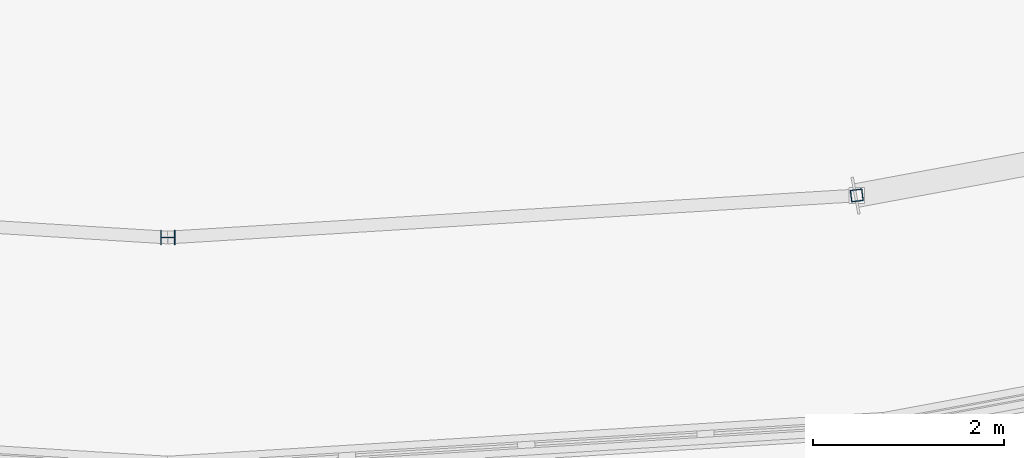
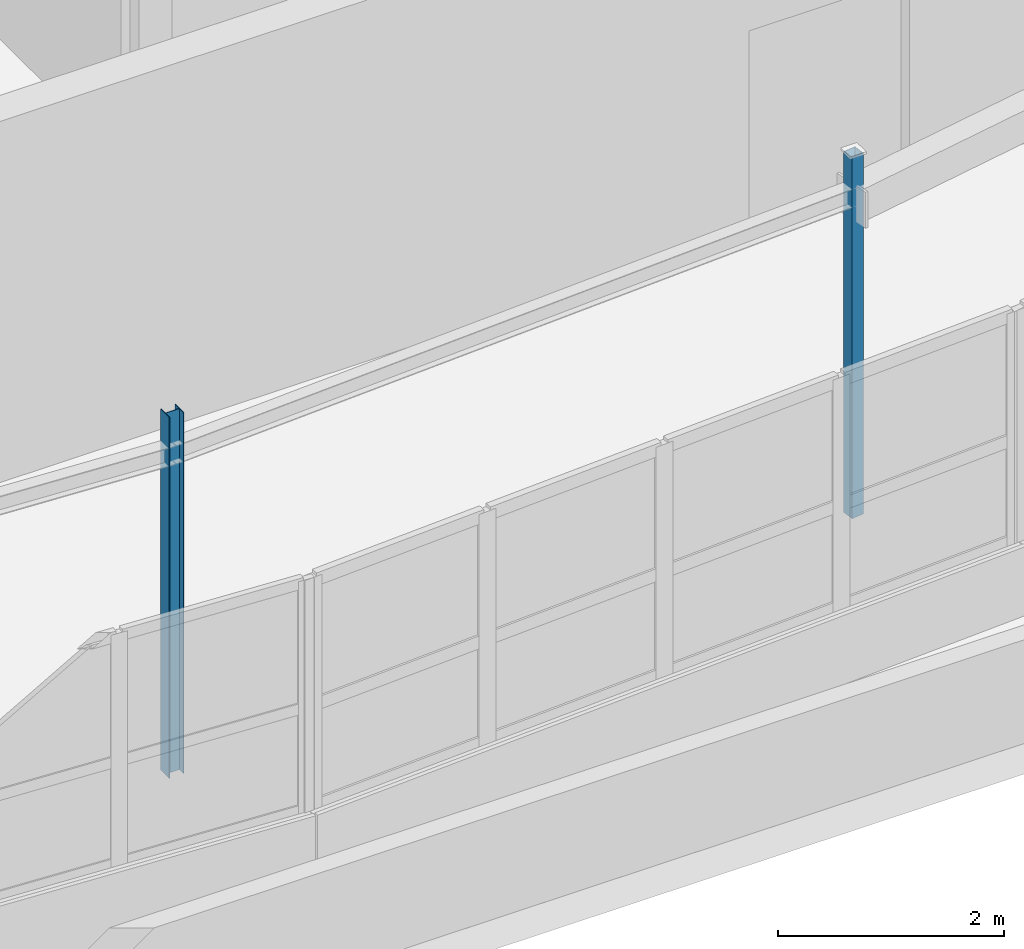
# One storey, part 3 of 128: 2 columns.
"""IFC4 building model written with IfcOpenShell, lengths in metres."""

import ifcopenshell
import ifcopenshell.guid

model = None  # the IFC model being written
_history = None  # IfcOwnerHistory: only IFC2X3 demands one
_inside = {}  # id of a spatial element -> (the spatial element, [elements in it])
_under = {}  # id of a project, library or spatial element -> (it, [spatial elements below it])
_declared = {}  # id of a project -> (the project, [libraries it declares])
_typed = {}  # id of a type object -> (the type object, [elements of that type])
_made_of = {}  # id of a material, layer set ... -> (it, [elements and type objects made of it])


def new_model(schema):
    """Start an empty IFC model of exactly this schema.

    Asked for "IFC4X3", IfcOpenShell would pick the latest addendum, in which some entities
    have other attributes; the version numbers below select the first issue.
    IFC2X3 requires an IfcOwnerHistory on every rooted entity: one is made here for all.
    """
    global model, _history
    if schema == "IFC4X3":
        model = ifcopenshell.file(schema_version=(4, 3, 0, 0))
    else:
        model = ifcopenshell.file(schema=schema)
    _inside.clear()
    _under.clear()
    _declared.clear()
    _typed.clear()
    _made_of.clear()
    _history = None
    if model.schema == "IFC2X3":
        org = make("IfcOrganization", Name="unknown")
        user = make(
            "IfcPersonAndOrganization",
            ThePerson=make("IfcPerson", FamilyName="unknown"),
            TheOrganization=org,
        )
        app = make(
            "IfcApplication",
            ApplicationDeveloper=org,
            Version="unknown",
            ApplicationFullName="unknown",
            ApplicationIdentifier="unknown",
        )
        _history = make(
            "IfcOwnerHistory",
            OwningUser=user,
            OwningApplication=app,
            ChangeAction="ADDED",
            CreationDate=0,
        )
    return model


def make(cls, **values):
    """One entity of the class cls with the attributes given. An attribute that is None is left unset."""
    return model.create_entity(
        cls, **{name: value for name, value in values.items() if value is not None}
    )


def rooted(cls, **values):
    """An entity with a GlobalId (a new one), such as an element, a storey or a relation."""
    return make(cls, GlobalId=ifcopenshell.guid.new(), OwnerHistory=_history, **values)


def si_unit(unit_type, name, prefix=None):
    """IfcSIUnit, for example si_unit("LENGTHUNIT", "METRE", prefix="MILLI")."""
    return make("IfcSIUnit", UnitType=unit_type, Prefix=prefix, Name=name)


def assignment(units):
    """IfcUnitAssignment: the units of a project."""
    return None if units is None else make("IfcUnitAssignment", Units=units)


def point(xyz):
    """IfcCartesianPoint."""
    return None if xyz is None else make("IfcCartesianPoint", Coordinates=xyz)


def direction(xyz):
    """IfcDirection."""
    return None if xyz is None else make("IfcDirection", DirectionRatios=xyz)


def frame(location, z_axis=None, x_axis=None):
    """IfcAxis2Placement3D, a coordinate frame: its origin and axes. An axis left out is left unset."""
    return make(
        "IfcAxis2Placement3D",
        Location=point(location),
        Axis=direction(z_axis),
        RefDirection=direction(x_axis),
    )


def frame_2d(location, x_axis=None):
    """IfcAxis2Placement2D, a coordinate frame in the plane: its origin and x axis."""
    return make(
        "IfcAxis2Placement2D", Location=point(location), RefDirection=direction(x_axis)
    )


def origin():
    """The frame at (0, 0, 0) with its axes left unset."""
    return frame((0.0, 0.0, 0.0))


def origin_2d():
    """The frame at (0, 0) in the plane with its x axis left unset."""
    return frame_2d((0.0, 0.0))


def place(relative_to, where):
    """IfcLocalPlacement: puts the frame where relative to a parent placement (None: the world)."""
    return make(
        "IfcLocalPlacement", PlacementRelTo=relative_to, RelativePlacement=where
    )


def context(
    kind, dimensions, precision=None, world=None, true_north=None, identifier=None
):
    """IfcGeometricRepresentationContext, for example the 3D "Model" context."""
    return make(
        "IfcGeometricRepresentationContext",
        ContextIdentifier=identifier,
        ContextType=kind,
        CoordinateSpaceDimension=dimensions,
        Precision=precision,
        WorldCoordinateSystem=world,
        TrueNorth=true_north,
    )


def subcontext(parent, identifier, kind, view, scale=None):
    """IfcGeometricRepresentationSubContext, for example "Body" below "Model"."""
    return make(
        "IfcGeometricRepresentationSubContext",
        ContextIdentifier=identifier,
        ContextType=kind,
        ParentContext=parent,
        TargetScale=scale,
        TargetView=view,
    )


def project(units=None, contexts=None):
    """IfcProject with its units and contexts."""
    return rooted(
        "IfcProject",
        Name="project",
        RepresentationContexts=contexts,
        UnitsInContext=assignment(units),
    )


def spatial(cls, under=None, at=None, **own):
    """A site, building, storey or space (cls), placed at a placement, below another one or the project."""
    s = rooted(cls, ObjectPlacement=at, **own)
    if under is not None:
        _under.setdefault(under.id(), (under, []))[1].append(s)
    return s


def profile(cls, at=None, kind="AREA", **sizes):
    """A parametric profile (cls). Its sizes go by their IFC names, for example OverallWidth=200.0."""
    return make(cls, ProfileType=kind, Position=at, **sizes)


def hollow_rectangle(**sizes):
    """IfcRectangleHollowProfileDef."""
    return profile("IfcRectangleHollowProfileDef", **sizes)


def i_section(**sizes):
    """IfcIShapeProfileDef."""
    return profile("IfcIShapeProfileDef", **sizes)


def extrude(swept, where, along, depth):
    """IfcExtrudedAreaSolid: the profile swept, set in the frame where, extruded along a direction by depth."""
    return make(
        "IfcExtrudedAreaSolid",
        SweptArea=swept,
        Position=where,
        ExtrudedDirection=direction(along),
        Depth=depth,
    )


def shape(context_of_items, identifier, shape_type, items):
    """IfcShapeRepresentation: the items that make up one representation, for example the "Body"."""
    return make(
        "IfcShapeRepresentation",
        ContextOfItems=context_of_items,
        RepresentationIdentifier=identifier,
        RepresentationType=shape_type,
        Items=items,
    )


def material(Name=None, Category=None):
    """IfcMaterial."""
    return make("IfcMaterial", Name=Name, Category=Category)


def material_profile(
    of_material, cross_section, Name=None, Category=None, Priority=None
):
    """IfcMaterialProfile: a cross section and its material."""
    return make(
        "IfcMaterialProfile",
        Name=Name,
        Material=of_material,
        Profile=cross_section,
        Priority=Priority,
        Category=Category,
    )


def profile_set(profiles, Name=None, composite=None):
    """IfcMaterialProfileSet."""
    return make(
        "IfcMaterialProfileSet",
        Name=Name,
        MaterialProfiles=profiles,
        CompositeProfile=composite,
    )


def made_of(thing, what):
    """Note that an element or type object is made of a material, layer set ...; save() writes the relation."""
    if what is not None:
        _made_of.setdefault(what.id(), (what, []))[1].append(thing)
    return thing


def type_object(cls, material=None, **own):
    """A type object (cls), such as IfcWallType, which elements share."""
    return made_of(rooted(cls, **own), material)


def element(
    cls,
    number,
    at=None,
    inside=None,
    cuts=None,
    type_object=None,
    material=None,
    context=None,
    identifier="Body",
    shape_type=None,
    held_by="IfcProductDefinitionShape",
    body=None,
    shapes=None,
    **own,
):
    """One element of the class cls, such as IfcWall. Its Tag is "e" and its number.

    at: its placement. inside: the storey or other place that contains it. cuts: it is an
    opening in that element (IfcRelVoidsElement). A single representation is given by context,
    identifier, shape_type and body (its items); several are given by shapes. held_by: the class
    of the entity that holds the representations. save() writes the other relations.
    """
    e = rooted(cls, Tag="e%d" % number, ObjectPlacement=at, **own)
    if body is not None:
        shapes = [shape(context, identifier, shape_type, body)]
    if shapes is not None:
        e.Representation = make(held_by, Representations=shapes)
    if inside is not None:
        _inside.setdefault(inside.id(), (inside, []))[1].append(e)
    if cuts is not None:
        rooted(
            "IfcRelVoidsElement", RelatingBuildingElement=cuts, RelatedOpeningElement=e
        )
    if type_object is not None:
        _typed.setdefault(type_object.id(), (type_object, []))[1].append(e)
    return made_of(e, material)


def aggregate(whole, parts):
    """IfcRelAggregates: a whole, such as a stair, and the parts it consists of."""
    return rooted("IfcRelAggregates", RelatingObject=whole, RelatedObjects=parts)


def save(model, path):
    """Write the relations noted so far, then the file.

    IfcRelAggregates (storeys below a building ...), IfcRelContainedInSpatialStructure (elements
    in a storey), IfcRelDefinesByType, IfcRelAssociatesMaterial and IfcRelDeclares: one each for
    every whole, place, type object, material and project.
    """
    for whole, parts in _under.values():
        aggregate(whole, parts)
    for where, things in _inside.values():
        rooted(
            "IfcRelContainedInSpatialStructure",
            RelatedElements=things,
            RelatingStructure=where,
        )
    for kind, things in _typed.values():
        rooted("IfcRelDefinesByType", RelatedObjects=things, RelatingType=kind)
    for what, things in _made_of.values():
        rooted("IfcRelAssociatesMaterial", RelatedObjects=things, RelatingMaterial=what)
    for by, libraries in _declared.values():
        rooted("IfcRelDeclares", RelatingContext=by, RelatedDefinitions=libraries)
    model.write(path)


model = new_model("IFC4")

# Units and contexts
model_context = context("Model", 3, precision=1e-05, world=origin(), true_north=direction((0.0, 1.0)))
body_context = subcontext(model_context, "Body", "Model", "MODEL_VIEW")
ifc_project = project(units=[si_unit("LENGTHUNIT", "METRE"), si_unit("AREAUNIT", "SQUARE_METRE"), si_unit("VOLUMEUNIT", "CUBIC_METRE"), si_unit("PLANEANGLEUNIT", "RADIAN"), si_unit("MASSUNIT", "GRAM", prefix="KILO")], contexts=[model_context])

# Site, building, storey
site_placement = place(None, origin())
site = spatial("IfcSite", under=ifc_project, at=site_placement, CompositionType="ELEMENT")
building_placement = place(site_placement, origin())
building = spatial("IfcBuilding", under=site, at=building_placement, Name="Tarnwether General Hospital", CompositionType="ELEMENT")
storey_placement = place(building_placement, frame((0.0, 0.0, 14.39990234375)))
storey = spatial("IfcBuildingStorey", under=building, at=storey_placement, Name="L03", CompositionType="ELEMENT", Elevation=14.39990234375)

# Columns
ifc_material_1 = material(Name="Steel Grade 350 (350 MPa)", Category="steel")
ifc_material_profile_1 = material_profile(ifc_material_1, i_section(OverallWidth=0.152099609375, OverallDepth=0.152099609375, WebThickness=0.006103515625, FlangeThickness=0.0068359375, at=origin_2d()), Name="150UC23.4")
ifc_profile_set_1 = profile_set([ifc_material_profile_1], Name="Steel Grade 350 (350 MPa)")
column_type_1 = type_object("IfcColumnType", Name="COL-32", PredefinedType="COLUMN", material=ifc_profile_set_1)
column_1_placement = place(storey_placement, frame((92.0, 3.800048828125, 0.0), z_axis=(0.0, 0.0, 1.0), x_axis=(0.0, 1.0, 0.0)))
element("IfcColumn", 1, at=column_1_placement, inside=storey, type_object=column_type_1, Name="Column COLG-L03-9200_380", PredefinedType="COLUMN", context=body_context, shape_type="SweptSolid", body=[
    extrude(i_section(OverallWidth=0.152099609375, OverallDepth=0.152099609375, WebThickness=0.006103515625, FlangeThickness=0.0068359375, at=origin_2d()), origin(), (0.0, 0.0, 1.0), 3.900146484375),
])
ifc_material_2 = material(Name="Steel Grade C350L0 (350 MPa)", Category="steel")
ifc_material_profile_2 = material_profile(ifc_material_2, hollow_rectangle(XDim=0.125, YDim=0.125, WallThickness=0.006103515625, at=origin_2d()), Name="SHS125x125x6")
ifc_profile_set_2 = profile_set([ifc_material_profile_2], Name="Steel Grade C350L0 (350 MPa)")
column_type_2 = type_object("IfcColumnType", Name="COL-34", PredefinedType="COLUMN", material=ifc_profile_set_2)
column_2_placement = place(storey_placement, frame((99.215087890625, 4.240966796875, 0.0), z_axis=(0.0, 0.0, 1.0), x_axis=(-0.121869343405, 0.992546151641, 0.0)))
element("IfcColumn", 2, at=column_2_placement, inside=storey, type_object=column_type_2, Name="Column COLG-L03-9922_424", PredefinedType="COLUMN", context=body_context, shape_type="SweptSolid", body=[
    extrude(hollow_rectangle(XDim=0.125, YDim=0.125, WallThickness=0.006103515625, at=origin_2d()), origin(), (0.0, 0.0, 1.0), 3.900146484375),
])

save(model, "model.ifc")
